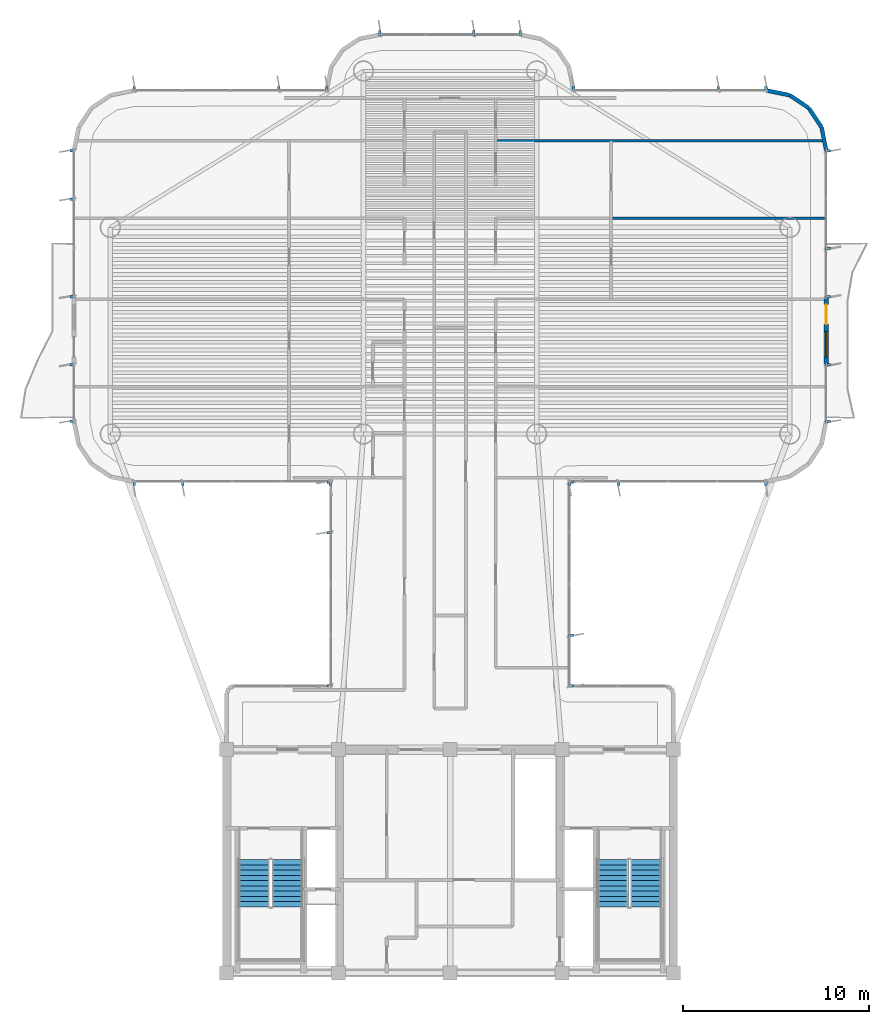
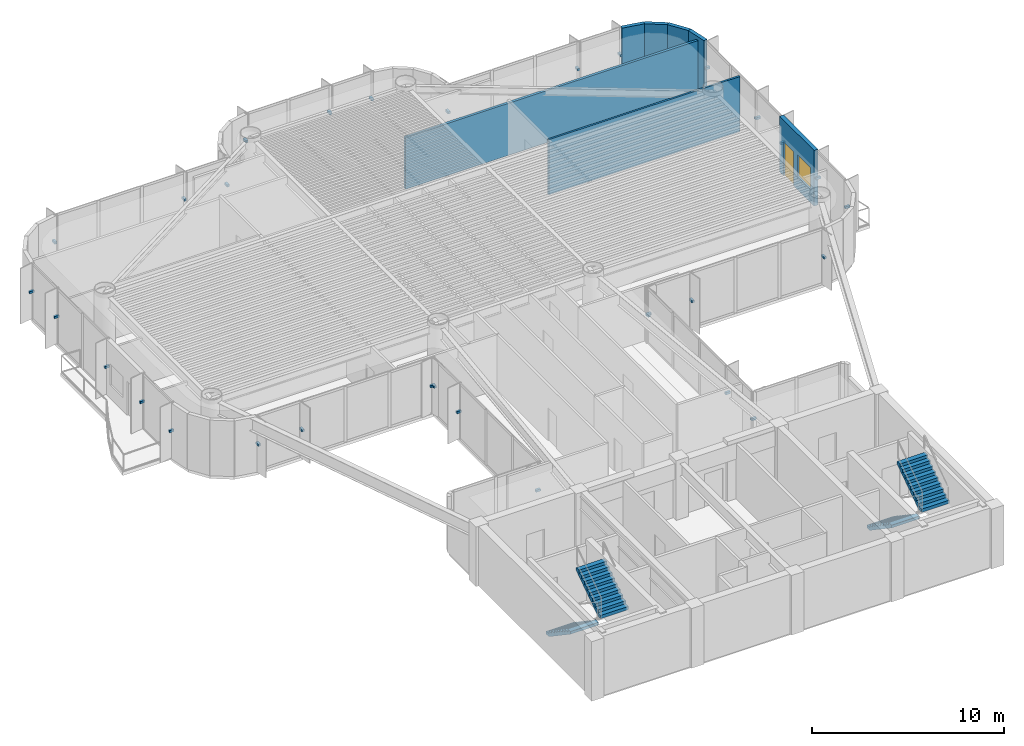
# One storey, part 12 of 14: 31 discrete accessories, 7 walls, 4 stair flights, 1 door, 1 window, 2 openings, 2 elements without a shape of their own.
"""IFC4 building model written with IfcOpenShell, lengths in metres."""

from ifc_helpers import new_model, si_unit, direction, frame, frame_2d, origin, origin_2d, place, context, subcontext, project, spatial, polyline, rectangle, outline, extrude, source, transform, mapped, material, layer, layer_set, type_object, element, fill, aggregate, save


model = new_model("IFC4")

# Units and contexts
model_context = context("Model", 3, precision=1e-05, world=origin(), true_north=direction((0.0, 1.0)))
body_context = subcontext(model_context, "Body", "Model", "MODEL_VIEW")
ifc_project = project(units=[si_unit("LENGTHUNIT", "METRE"), si_unit("AREAUNIT", "SQUARE_METRE"), si_unit("VOLUMEUNIT", "CUBIC_METRE"), si_unit("PLANEANGLEUNIT", "RADIAN"), si_unit("MASSUNIT", "GRAM", prefix="KILO")], contexts=[model_context])

# Site, building, storey
site_placement = place(None, origin())
site = spatial("IfcSite", under=ifc_project, at=site_placement, CompositionType="ELEMENT")
building_placement = place(site_placement, origin())
building = spatial("IfcBuilding", under=site, at=building_placement, Name="Brelvock Crest Care Tower", CompositionType="ELEMENT")
storey_placement = place(building_placement, frame((0.0, 0.0, 198.0)))
storey = spatial("IfcBuildingStorey", under=building, at=storey_placement, Name="L50", CompositionType="ELEMENT", Elevation=198.0)

# Wall, openings, door, window
ifc_material_1 = material(Name="Precast concrete N40 (40 MPa)", Category="concrete")
ifc_layer_1 = layer(ifc_material_1, 0.239990234375, Name="WL-EX1")
ifc_layer_set_1 = layer_set([ifc_layer_1], Name="Precast concrete N40 (40 MPa)")
wall_type_1 = type_object("IfcWallType", Name="WL-EX1", PredefinedType="SOLIDWALL", material=ifc_layer_set_1)
wall_1_placement = place(storey_placement, frame((56.199951171875, 42.300048828125, 0.0), z_axis=(0.0, 0.0, 1.0), x_axis=(0.0, -1.0, 0.0)))
wall_1 = element("IfcWall", 1, at=wall_1_placement, inside=storey, type_object=wall_type_1, Name="L50 Exterior Spandrel Wall WL-BAL-L50-E", PredefinedType="SOLIDWALL", context=body_context, shape_type="SweptSolid", body=[
    extrude(rectangle(XDim=3.60009765625, YDim=0.239990234375, at=frame_2d((1.800048828125, 0.0))), origin(), (0.0, 0.0, 1.0), 3.530029296875),
])
opening_1_placement = place(wall_1_placement, frame((0.39990234375, 0.0, 0.0)))
opening_1 = element("IfcOpeningElement", 2, at=opening_1_placement, cuts=wall_1, Name="Opening BD-1", PredefinedType="OPENING", context=body_context, shape_type="SweptSolid", body=[
    extrude(rectangle(XDim=1.050048828125, YDim=2.14990234375, at=origin_2d()), frame((0.52490234375, 0.1298828125, 1.074951171875), z_axis=(0.0, -1.0, 0.0), x_axis=(1.0, 0.0, 0.0)), (0.0, 0.0, 1.0), 0.260009765625),
])
opening_2_placement = place(wall_1_placement, frame((1.85009765625, 0.0, 0.85009765625)))
opening_2 = element("IfcOpeningElement", 3, at=opening_2_placement, cuts=wall_1, Name="Opening W-01", PredefinedType="OPENING", context=body_context, shape_type="SweptSolid", body=[
    extrude(rectangle(XDim=1.35009765625, YDim=1.35009765625, at=origin_2d()), frame((0.675048828125, 0.1298828125, 0.675048828125), z_axis=(0.0, -1.0, 0.0), x_axis=(1.0, 0.0, 0.0)), (0.0, 0.0, 1.0), 0.260009765625),
])
ifc_material_2 = material(Name="Dark Glass Double Glazed Low-E", Category="glass")
door_type = type_object("IfcDoorType", Name="DR-BAL1", OperationType="NOTDEFINED", PredefinedType="DOOR", material=ifc_material_2)
shared_shape_1 = source(origin(), body_context, "Body", "SweptSolid", [
    extrude(rectangle(XDim=1.050048828125, YDim=2.14990234375, at=origin_2d()), frame((0.52490234375, 0.02490234375, 1.074951171875), z_axis=(0.0, -1.0, 0.0), x_axis=(1.0, 0.0, 0.0)), (0.0, 0.0, 1.0), 0.050048828125),
])
door_placement = place(opening_1_placement, origin())
door = element("IfcDoor", 4, at=door_placement, inside=storey, type_object=door_type, Name="L50 E Wave Balcony Glazed Door", OperationType="SINGLE_SWING_RIGHT", OverallHeight=2.14990234375, OverallWidth=1.050048828125, PredefinedType="DOOR", context=body_context, shape_type="MappedRepresentation", body=[
    mapped(shared_shape_1, transform((0.0, 0.0, 0.0), x_axis=(1.0, 0.0, 0.0), y_axis=(0.0, 1.0, 0.0), z_axis=(0.0, 0.0, 1.0), scale=1.0)),
])
fill(opening_1, door)
window_type = type_object("IfcWindowType", Name="WN-EX1", PartitioningType="SINGLE_PANEL", PredefinedType="WINDOW", material=ifc_material_2)
shared_shape_2 = source(origin(), body_context, "Body", "SweptSolid", [
    extrude(rectangle(XDim=1.35009765625, YDim=1.35009765625, at=origin_2d()), frame((0.675048828125, 0.030029296875, 0.675048828125), z_axis=(0.0, -1.0, 0.0), x_axis=(1.0, 0.0, 0.0)), (0.0, 0.0, 1.0), 0.06005859375),
])
window_placement = place(opening_2_placement, origin())
window = element("IfcWindow", 5, at=window_placement, inside=storey, type_object=window_type, Name="L50 E Suite Casement Window", OverallHeight=1.35009765625, OverallWidth=1.35009765625, PartitioningType="SINGLE_PANEL", PredefinedType="WINDOW", context=body_context, shape_type="MappedRepresentation", body=[
    mapped(shared_shape_2, transform((0.0, 0.0, 0.0), x_axis=(1.0, 0.0, 0.0), y_axis=(0.0, 1.0, 0.0), z_axis=(0.0, 0.0, 1.0), scale=1.0)),
])
fill(opening_2, window)

# Walls
ifc_layer_2 = layer(ifc_material_1, 0.215087890625, Name="WL-EX2")
ifc_layer_set_2 = layer_set([ifc_layer_2], Name="Precast concrete N40 (40 MPa)")
wall_type_2 = type_object("IfcWallType", Name="WL-EX2", PredefinedType="SOLIDWALL", material=ifc_layer_set_2)
for number, where, z_axis, x_axis, name in (
    (6, (53.0, 53.39990234375, 0.0), (0.0, 0.0, 1.0), (0.980813122964, -0.194950295773, 0.0), "L50 Rounded Corner Wall 35"),
    (7, (54.224609375, 53.156494140625, 0.0), (0.0, 0.0, 1.0), (0.831387912822, -0.555692485475, 0.0), "L50 Rounded Corner Wall 36"),
    (8, (55.2626953125, 52.462646484375, 0.0), (0.0, 0.0, 1.0), (0.555557312883, -0.831478245117, 0.0), "L50 Rounded Corner Wall 37"),
    (9, (55.956298828125, 51.424560546875, 0.0), (0.0, 0.0, 1.0), (0.195138390419, -0.980775717779, 0.0), "L50 Rounded Corner Wall 38"),
):
    element("IfcWall", number, at=place(storey_placement, frame(where, z_axis=z_axis, x_axis=x_axis)), inside=storey, type_object=wall_type_2, Name=name, PredefinedType="SOLIDWALL", context=body_context, shape_type="SweptSolid", body=[
        extrude(rectangle(XDim=1.24853515625, YDim=0.215087890625, at=frame_2d((0.624267578125, 0.0))), origin(), (0.0, 0.0, 1.0), 3.530029296875),
    ])
ifc_material_3 = material(Name="Masonry Blockwork Acoustic Partition", Category="masonry")
ifc_layer_3 = layer(ifc_material_3, 0.14990234375, Name="WL-INT1")
ifc_layer_set_3 = layer_set([ifc_layer_3], Name="Masonry Blockwork Acoustic Partition")
wall_type_3 = type_object("IfcWallType", Name="WL-INT1", PredefinedType="PARTITIONING", material=ifc_layer_set_3)
wall_2_placement = place(storey_placement, frame((38.449951171875, 50.699951171875, 0.0), z_axis=(0.0, 0.0, 1.0), x_axis=(1.0, 0.0, 0.0)))
element("IfcWall", 10, at=wall_2_placement, inside=storey, type_object=wall_type_3, Name="L50 Interior Wall WL-BX-L50-NALE-S", PredefinedType="PARTITIONING", context=body_context, shape_type="SweptSolid", body=[
    extrude(rectangle(XDim=17.569091796875, YDim=0.14990234375, at=frame_2d((8.78466796875, 0.0))), origin(), (0.0, 0.0, 1.0), 3.30810546875),
])
ifc_material_4 = material(Name="Gypsum Plasterboard Partition", Category="gypsum")
ifc_layer_4 = layer(ifc_material_4, 0.1201171875, Name="WL-INT2")
ifc_layer_set_4 = layer_set([ifc_layer_4], Name="Gypsum Plasterboard Partition")
wall_type_4 = type_object("IfcWallType", Name="WL-INT2", PredefinedType="PARTITIONING", material=ifc_layer_set_4)
wall_3_placement = place(storey_placement, frame((44.64990234375, 46.537109375, 0.0), z_axis=(0.0, 0.0, 1.0), x_axis=(1.0, 0.0, 0.0)))
element("IfcWall", 11, at=wall_3_placement, inside=storey, type_object=wall_type_4, Name="L50 Interior Wall WL-BX-L50-ES3S-N", PredefinedType="PARTITIONING", context=body_context, shape_type="SweptSolid", body=[
    extrude(rectangle(XDim=11.47021484375, YDim=0.1201171875, at=frame_2d((5.735107421875, 0.0))), origin(), (0.0, 0.0, 1.0), 3.5),
])

# Stair, stair flights
ifc_material_5 = material(Name="Concrete N40 (40 MPa)", Category="concrete")
stair_type = type_object("IfcStairType", Name="ST-CORE1", PredefinedType="HALF_TURN_STAIR", material=ifc_material_5)
stair_1_placement = place(storey_placement, origin())
stair_1 = element("IfcStair", 12, at=stair_1_placement, inside=storey, type_object=stair_type, Name="L50 Fire-Isolated Core Stair ST-1", PredefinedType="HALF_TURN_STAIR")
stair_flight_type = type_object("IfcStairFlightType", Name="STF-1", PredefinedType="STRAIGHT", material=ifc_material_5)
stair_flight_1_placement = place(storey_placement, frame((25.469970703125, 12.080078125, 0.0), z_axis=(0.0, 0.0, 1.0), x_axis=(0.0, -1.0, 0.0)))
stair_flight_1 = element("IfcStairFlight", 13, at=stair_flight_1_placement, type_object=stair_flight_type, Name="ST-1 flight 1", NumberOfRisers=10, NumberOfTreads=9, PredefinedType="STRAIGHT", RiserHeight=0.189, TreadLength=0.28, context=body_context, shape_type="SweptSolid", body=[
    extrude(outline(polyline([(-0.00390625, -0.014892578125), (-0.00390625, -0.0078125), (-0.00390625, -0.00048828125), (-0.00390625, 0.0068359375), (-0.00390625, 0.01416015625), (-0.00390625, 0.021484375), (-0.00390625, 0.02880859375), (-0.00390625, 0.035888671875), (-0.00390625, 0.043212890625), (-0.00390625, 0.050537109375), (-0.00390625, 0.057861328125), (-0.00390625, 0.065185546875), (-0.00390625, 0.072509765625), (-0.00390625, 0.07958984375), (-0.00390625, 0.0869140625), (-0.00390625, 0.09423828125), (-0.00390625, 0.1015625), (-0.00390625, 0.10888671875), (-0.00390625, 0.1162109375), (-0.00390625, 0.12353515625), (-0.00390625, 0.130615234375), (-0.00390625, 0.137939453125), (-0.00390625, 0.145263671875), (-0.00390625, 0.152587890625), (-0.00390625, 0.159912109375), (-0.00390625, 0.167236328125), (-0.00390625, 0.17431640625), (-0.00390625, 0.181640625), (-0.00390625, 0.18896484375), (0.0, 0.18896484375), (0.280029296875, 0.18896484375), (0.280029296875, 0.3779296875), (0.56005859375, 0.3779296875), (0.56005859375, 0.56689453125), (0.840087890625, 0.56689453125), (0.840087890625, 0.756103515625), (1.1201171875, 0.756103515625), (1.1201171875, 0.945068359375), (1.39990234375, 0.945068359375), (1.39990234375, 1.134033203125), (1.679931640625, 1.134033203125), (1.679931640625, 1.322998046875), (1.9599609375, 1.322998046875), (1.9599609375, 1.511962890625), (2.239990234375, 1.511962890625), (2.239990234375, 1.700927734375), (2.52001953125, 1.700927734375), (2.52392578125, 1.700927734375), (2.523681640625, 1.70068359375), (2.52392578125, 1.700439453125), (2.523681640625, 1.699951171875), (2.52392578125, 1.69970703125), (2.523681640625, 1.699462890625), (2.52392578125, 1.698974609375), (2.523681640625, 1.69873046875), (2.52392578125, 1.698486328125), (2.523681640625, 1.697998046875), (2.52392578125, 1.69775390625), (2.523681640625, 1.697509765625), (2.52392578125, 1.697021484375), (2.523681640625, 1.69677734375), (2.52392578125, 1.696533203125), (2.523681640625, 1.6962890625), (2.52392578125, 1.69580078125), (2.523681640625, 1.695556640625), (2.52392578125, 1.6953125), (2.523681640625, 1.69482421875), (2.52392578125, 1.694580078125), (2.523681640625, 1.6943359375), (2.52392578125, 1.69384765625), (2.523681640625, 1.693603515625), (2.52392578125, 1.693359375), (2.523681640625, 1.69287109375), (2.52392578125, 1.692626953125), (2.523681640625, 1.6923828125), (2.52392578125, 1.69189453125), (2.52001953125, 1.520263671875), (0.267822265625, 0.0), (0.0, 0.0), (0.0, -0.014892578125), (-0.00390625, -0.014892578125)])), frame((0.0, 0.83984375, 0.0), z_axis=(0.0, -1.0, 0.0), x_axis=(1.0, 0.0, 0.0)), (0.0, 0.0, 1.0), 1.679931640625),
])
stair_flight_2_placement = place(storey_placement, frame((27.27001953125, 9.56005859375, 1.889892578125), z_axis=(0.0, 0.0, 1.0), x_axis=(0.0, 1.0, 0.0)))
stair_flight_2 = element("IfcStairFlight", 14, at=stair_flight_2_placement, type_object=stair_flight_type, Name="ST-1 flight 2", NumberOfRisers=10, NumberOfTreads=9, PredefinedType="STRAIGHT", RiserHeight=0.189, TreadLength=0.28, context=body_context, shape_type="SweptSolid", body=[
    extrude(outline(polyline([(-0.00390625, -0.014892578125), (-0.00390625, -0.0078125), (-0.00390625, -0.00048828125), (-0.00390625, 0.0068359375), (-0.00390625, 0.01416015625), (-0.00390625, 0.021484375), (-0.00390625, 0.02880859375), (-0.00390625, 0.035888671875), (-0.00390625, 0.043212890625), (-0.00390625, 0.050537109375), (-0.00390625, 0.057861328125), (-0.00390625, 0.065185546875), (-0.00390625, 0.072509765625), (-0.00390625, 0.07958984375), (-0.00390625, 0.0869140625), (-0.00390625, 0.09423828125), (-0.00390625, 0.1015625), (-0.00390625, 0.10888671875), (-0.00390625, 0.1162109375), (-0.00390625, 0.12353515625), (-0.00390625, 0.130615234375), (-0.00390625, 0.137939453125), (-0.00390625, 0.145263671875), (-0.00390625, 0.152587890625), (-0.00390625, 0.159912109375), (-0.00390625, 0.167236328125), (-0.00390625, 0.17431640625), (-0.00390625, 0.181640625), (-0.00390625, 0.18896484375), (0.0, 0.18896484375), (0.280029296875, 0.18896484375), (0.280029296875, 0.3779296875), (0.56005859375, 0.3779296875), (0.56005859375, 0.56689453125), (0.840087890625, 0.56689453125), (0.840087890625, 0.756103515625), (1.1201171875, 0.756103515625), (1.1201171875, 0.945068359375), (1.39990234375, 0.945068359375), (1.39990234375, 1.134033203125), (1.679931640625, 1.134033203125), (1.679931640625, 1.322998046875), (1.9599609375, 1.322998046875), (1.9599609375, 1.511962890625), (2.239990234375, 1.511962890625), (2.239990234375, 1.700927734375), (2.52001953125, 1.700927734375), (2.52392578125, 1.700927734375), (2.523681640625, 1.70068359375), (2.52392578125, 1.700439453125), (2.523681640625, 1.699951171875), (2.52392578125, 1.69970703125), (2.523681640625, 1.699462890625), (2.52392578125, 1.698974609375), (2.523681640625, 1.69873046875), (2.52392578125, 1.698486328125), (2.523681640625, 1.697998046875), (2.52392578125, 1.69775390625), (2.523681640625, 1.697509765625), (2.52392578125, 1.697021484375), (2.523681640625, 1.69677734375), (2.52392578125, 1.696533203125), (2.523681640625, 1.6962890625), (2.52392578125, 1.69580078125), (2.523681640625, 1.695556640625), (2.52392578125, 1.6953125), (2.523681640625, 1.69482421875), (2.52392578125, 1.694580078125), (2.523681640625, 1.6943359375), (2.52392578125, 1.69384765625), (2.523681640625, 1.693603515625), (2.52392578125, 1.693359375), (2.523681640625, 1.69287109375), (2.52392578125, 1.692626953125), (2.523681640625, 1.6923828125), (2.52392578125, 1.69189453125), (2.52001953125, 1.520263671875), (0.267822265625, 0.0), (0.0, 0.0), (0.0, -0.014892578125), (-0.00390625, -0.014892578125)])), frame((0.0, 0.83984375, 0.0), z_axis=(0.0, -1.0, 0.0), x_axis=(1.0, 0.0, 0.0)), (0.0, 0.0, 1.0), 1.679931640625),
])
aggregate(stair_1, [stair_flight_1, stair_flight_2])

stair_2_placement = place(storey_placement, origin())
stair_2 = element("IfcStair", 15, at=stair_2_placement, inside=storey, type_object=stair_type, Name="L50 Fire-Isolated Core Stair ST-2", PredefinedType="HALF_TURN_STAIR")
stair_flight_3_placement = place(storey_placement, frame((44.72998046875, 12.080078125, 0.0), z_axis=(0.0, 0.0, 1.0), x_axis=(0.0, -1.0, 0.0)))
stair_flight_3 = element("IfcStairFlight", 16, at=stair_flight_3_placement, type_object=stair_flight_type, Name="ST-2 flight 1", NumberOfRisers=10, NumberOfTreads=9, PredefinedType="STRAIGHT", RiserHeight=0.189, TreadLength=0.28, context=body_context, shape_type="SweptSolid", body=[
    extrude(outline(polyline([(-0.00390625, -0.014892578125), (-0.00390625, -0.0078125), (-0.00390625, -0.00048828125), (-0.00390625, 0.0068359375), (-0.00390625, 0.01416015625), (-0.00390625, 0.021484375), (-0.00390625, 0.02880859375), (-0.00390625, 0.035888671875), (-0.00390625, 0.043212890625), (-0.00390625, 0.050537109375), (-0.00390625, 0.057861328125), (-0.00390625, 0.065185546875), (-0.00390625, 0.072509765625), (-0.00390625, 0.07958984375), (-0.00390625, 0.0869140625), (-0.00390625, 0.09423828125), (-0.00390625, 0.1015625), (-0.00390625, 0.10888671875), (-0.00390625, 0.1162109375), (-0.00390625, 0.12353515625), (-0.00390625, 0.130615234375), (-0.00390625, 0.137939453125), (-0.00390625, 0.145263671875), (-0.00390625, 0.152587890625), (-0.00390625, 0.159912109375), (-0.00390625, 0.167236328125), (-0.00390625, 0.17431640625), (-0.00390625, 0.181640625), (-0.00390625, 0.18896484375), (0.0, 0.18896484375), (0.280029296875, 0.18896484375), (0.280029296875, 0.3779296875), (0.56005859375, 0.3779296875), (0.56005859375, 0.56689453125), (0.840087890625, 0.56689453125), (0.840087890625, 0.756103515625), (1.1201171875, 0.756103515625), (1.1201171875, 0.945068359375), (1.39990234375, 0.945068359375), (1.39990234375, 1.134033203125), (1.679931640625, 1.134033203125), (1.679931640625, 1.322998046875), (1.9599609375, 1.322998046875), (1.9599609375, 1.511962890625), (2.239990234375, 1.511962890625), (2.239990234375, 1.700927734375), (2.52001953125, 1.700927734375), (2.52392578125, 1.700927734375), (2.523681640625, 1.70068359375), (2.52392578125, 1.700439453125), (2.523681640625, 1.699951171875), (2.52392578125, 1.69970703125), (2.523681640625, 1.699462890625), (2.52392578125, 1.698974609375), (2.523681640625, 1.69873046875), (2.52392578125, 1.698486328125), (2.523681640625, 1.697998046875), (2.52392578125, 1.69775390625), (2.523681640625, 1.697509765625), (2.52392578125, 1.697021484375), (2.523681640625, 1.69677734375), (2.52392578125, 1.696533203125), (2.523681640625, 1.6962890625), (2.52392578125, 1.69580078125), (2.523681640625, 1.695556640625), (2.52392578125, 1.6953125), (2.523681640625, 1.69482421875), (2.52392578125, 1.694580078125), (2.523681640625, 1.6943359375), (2.52392578125, 1.69384765625), (2.523681640625, 1.693603515625), (2.52392578125, 1.693359375), (2.523681640625, 1.69287109375), (2.52392578125, 1.692626953125), (2.523681640625, 1.6923828125), (2.52392578125, 1.69189453125), (2.52001953125, 1.520263671875), (0.267822265625, 0.0), (0.0, 0.0), (0.0, -0.014892578125), (-0.00390625, -0.014892578125)])), frame((0.0, 0.83984375, 0.0), z_axis=(0.0, -1.0, 0.0), x_axis=(1.0, 0.0, 0.0)), (0.0, 0.0, 1.0), 1.679931640625),
])
stair_flight_4_placement = place(storey_placement, frame((46.530029296875, 9.56005859375, 1.889892578125), z_axis=(0.0, 0.0, 1.0), x_axis=(0.0, 1.0, 0.0)))
stair_flight_4 = element("IfcStairFlight", 17, at=stair_flight_4_placement, type_object=stair_flight_type, Name="ST-2 flight 2", NumberOfRisers=10, NumberOfTreads=9, PredefinedType="STRAIGHT", RiserHeight=0.189, TreadLength=0.28, context=body_context, shape_type="SweptSolid", body=[
    extrude(outline(polyline([(-0.00390625, -0.014892578125), (-0.00390625, -0.0078125), (-0.00390625, -0.00048828125), (-0.00390625, 0.0068359375), (-0.00390625, 0.01416015625), (-0.00390625, 0.021484375), (-0.00390625, 0.02880859375), (-0.00390625, 0.035888671875), (-0.00390625, 0.043212890625), (-0.00390625, 0.050537109375), (-0.00390625, 0.057861328125), (-0.00390625, 0.065185546875), (-0.00390625, 0.072509765625), (-0.00390625, 0.07958984375), (-0.00390625, 0.0869140625), (-0.00390625, 0.09423828125), (-0.00390625, 0.1015625), (-0.00390625, 0.10888671875), (-0.00390625, 0.1162109375), (-0.00390625, 0.12353515625), (-0.00390625, 0.130615234375), (-0.00390625, 0.137939453125), (-0.00390625, 0.145263671875), (-0.00390625, 0.152587890625), (-0.00390625, 0.159912109375), (-0.00390625, 0.167236328125), (-0.00390625, 0.17431640625), (-0.00390625, 0.181640625), (-0.00390625, 0.18896484375), (0.0, 0.18896484375), (0.280029296875, 0.18896484375), (0.280029296875, 0.3779296875), (0.56005859375, 0.3779296875), (0.56005859375, 0.56689453125), (0.840087890625, 0.56689453125), (0.840087890625, 0.756103515625), (1.1201171875, 0.756103515625), (1.1201171875, 0.945068359375), (1.39990234375, 0.945068359375), (1.39990234375, 1.134033203125), (1.679931640625, 1.134033203125), (1.679931640625, 1.322998046875), (1.9599609375, 1.322998046875), (1.9599609375, 1.511962890625), (2.239990234375, 1.511962890625), (2.239990234375, 1.700927734375), (2.52001953125, 1.700927734375), (2.52392578125, 1.700927734375), (2.523681640625, 1.70068359375), (2.52392578125, 1.700439453125), (2.523681640625, 1.699951171875), (2.52392578125, 1.69970703125), (2.523681640625, 1.699462890625), (2.52392578125, 1.698974609375), (2.523681640625, 1.69873046875), (2.52392578125, 1.698486328125), (2.523681640625, 1.697998046875), (2.52392578125, 1.69775390625), (2.523681640625, 1.697509765625), (2.52392578125, 1.697021484375), (2.523681640625, 1.69677734375), (2.52392578125, 1.696533203125), (2.523681640625, 1.6962890625), (2.52392578125, 1.69580078125), (2.523681640625, 1.695556640625), (2.52392578125, 1.6953125), (2.523681640625, 1.69482421875), (2.52392578125, 1.694580078125), (2.523681640625, 1.6943359375), (2.52392578125, 1.69384765625), (2.523681640625, 1.693603515625), (2.52392578125, 1.693359375), (2.523681640625, 1.69287109375), (2.52392578125, 1.692626953125), (2.523681640625, 1.6923828125), (2.52392578125, 1.69189453125), (2.52001953125, 1.520263671875), (0.267822265625, 0.0), (0.0, 0.0), (0.0, -0.014892578125), (-0.00390625, -0.014892578125)])), frame((0.0, 0.83984375, 0.0), z_axis=(0.0, -1.0, 0.0), x_axis=(1.0, 0.0, 0.0)), (0.0, 0.0, 1.0), 1.679931640625),
])
aggregate(stair_2, [stair_flight_3, stair_flight_4])

# Discrete accessories
ifc_material_6 = material(Name="Steel Grade 350", Category="steel")
discrete_accessory_type = type_object("IfcDiscreteAccessoryType", Name="ACC-BRK1", PredefinedType="BRACKET", material=ifc_material_6)
shared_shape_3 = source(origin(), body_context, "Body", "SweptSolid", [
    extrude(rectangle(XDim=0.280029296875, YDim=0.139892578125, at=origin_2d()), origin(), (0.0, 0.0, 1.0), 0.139892578125),
])
for number, where, z_axis, x_axis, name in (
    (18, (29.52001953125, 21.429931640625, 1.69482421875), (0.0, 0.0, 1.0), (-1.0, 0.0, 0.0), "L50 Facade Fin Bracket E11-01"),
    (19, (29.52001953125, 29.64990234375, 1.69482421875), (0.0, 0.0, 1.0), (-1.0, 0.0, 0.0), "L50 Facade Fin Bracket E11-04"),
    (20, (29.52001953125, 32.3701171875, 1.69482421875), (0.0, 0.0, 1.0), (-1.0, 0.0, 0.0), "L50 Facade Fin Bracket E11-05"),
    (21, (29.570068359375, 32.320068359375, 1.69482421875), (0.0, 0.0, 1.0), (0.0, -1.0, 0.0), "L50 Facade Fin Bracket E12-01"),
    (22, (21.64990234375, 32.320068359375, 1.69482421875), (0.0, 0.0, 1.0), (0.0, -1.0, 0.0), "L50 Facade Fin Bracket E12-04"),
    (23, (19.030029296875, 32.320068359375, 1.69482421875), (0.0, 0.0, 1.0), (0.0, -1.0, 0.0), "L50 Facade Fin Bracket E12-05"),
    (24, (15.719970703125, 35.6298828125, 1.69482421875), (0.0, 0.0, 1.0), (-1.0, 0.0, 0.0), "L50 Facade Fin Bracket E17A-01"),
    (25, (15.719970703125, 38.669921875, 1.69482421875), (0.0, 0.0, 1.0), (-1.0, 0.0, 0.0), "L50 Facade Fin Bracket E17A-02"),
    (26, (15.719970703125, 42.330078125, 1.69482421875), (0.0, 0.0, 1.0), (-1.0, 0.0, 0.0), "L50 Facade Fin Bracket E17B-01"),
    (27, (15.719970703125, 47.566650390625, 1.69482421875), (0.0, 0.0, 1.0), (-1.0, 0.0, 0.0), "L50 Facade Fin Bracket E17B-03"),
    (28, (15.719970703125, 50.169921875, 1.69482421875), (0.0, 0.0, 1.0), (-1.0, 0.0, 0.0), "L50 Facade Fin Bracket E17B-04"),
    (29, (19.030029296875, 53.47998046875, 1.69482421875), (0.0, 0.0, 1.0), (0.0, 1.0, 0.0), "L50 Facade Fin Bracket E22-01"),
    (30, (26.800048828125, 53.47998046875, 1.69482421875), (0.0, 0.0, 1.0), (0.0, 1.0, 0.0), "L50 Facade Fin Bracket E22-04"),
    (31, (29.3701171875, 53.47998046875, 1.69482421875), (0.0, 0.0, 1.0), (0.0, 1.0, 0.0), "L50 Facade Fin Bracket E22-05"),
    (32, (32.22998046875, 56.47998046875, 1.69482421875), (0.0, 0.0, 1.0), (0.0, 1.0, 0.0), "L50 Facade Fin Bracket E28-01"),
    (33, (37.2666015625, 56.47998046875, 1.69482421875), (0.0, 0.0, 1.0), (0.0, 1.0, 0.0), "L50 Facade Fin Bracket E28-03"),
    (34, (39.77001953125, 56.47998046875, 1.69482421875), (0.0, 0.0, 1.0), (0.0, 1.0, 0.0), "L50 Facade Fin Bracket E28-04"),
    (35, (42.6298828125, 53.47998046875, 1.69482421875), (0.0, 0.0, 1.0), (0.0, 1.0, 0.0), "L50 Facade Fin Bracket E34-01"),
    (36, (50.39990234375, 53.47998046875, 1.69482421875), (0.0, 0.0, 1.0), (0.0, 1.0, 0.0), "L50 Facade Fin Bracket E34-04"),
    (37, (52.969970703125, 53.47998046875, 1.69482421875), (0.0, 0.0, 1.0), (0.0, 1.0, 0.0), "L50 Facade Fin Bracket E34-05"),
    (38, (56.280029296875, 50.169921875, 1.69482421875), (0.0, 0.0, 1.0), (1.0, 0.0, 0.0), "L50 Facade Fin Bracket E39A-01"),
    (39, (56.280029296875, 44.933349609375, 1.69482421875), (0.0, 0.0, 1.0), (1.0, 0.0, 0.0), "L50 Facade Fin Bracket E39A-03"),
    (40, (56.280029296875, 42.330078125, 1.69482421875), (0.0, 0.0, 1.0), (1.0, 0.0, 0.0), "L50 Facade Fin Bracket E39A-04"),
    (41, (56.280029296875, 38.669921875, 1.69482421875), (0.0, 0.0, 1.0), (1.0, 0.0, 0.0), "L50 Facade Fin Bracket E39B-01"),
    (42, (56.280029296875, 35.6298828125, 1.69482421875), (0.0, 0.0, 1.0), (1.0, 0.0, 0.0), "L50 Facade Fin Bracket E39B-02"),
    (43, (52.969970703125, 32.320068359375, 1.69482421875), (0.0, 0.0, 1.0), (0.0, -1.0, 0.0), "L50 Facade Fin Bracket E44-01"),
    (44, (45.050048828125, 32.320068359375, 1.69482421875), (0.0, 0.0, 1.0), (0.0, -1.0, 0.0), "L50 Facade Fin Bracket E44-04"),
    (45, (42.429931640625, 32.320068359375, 1.69482421875), (0.0, 0.0, 1.0), (0.0, -1.0, 0.0), "L50 Facade Fin Bracket E44-05"),
    (46, (42.47998046875, 32.3701171875, 1.69482421875), (0.0, 0.0, 1.0), (1.0, 0.0, 0.0), "L50 Facade Fin Bracket E45-01"),
    (47, (42.47998046875, 24.14990234375, 1.69482421875), (0.0, 0.0, 1.0), (1.0, 0.0, 0.0), "L50 Facade Fin Bracket E45-04"),
    (48, (42.47998046875, 21.429931640625, 1.69482421875), (0.0, 0.0, 1.0), (1.0, 0.0, 0.0), "L50 Facade Fin Bracket E45-05"),
):
    element("IfcDiscreteAccessory", number, at=place(storey_placement, frame(where, z_axis=z_axis, x_axis=x_axis)), inside=storey, type_object=discrete_accessory_type, Name=name, PredefinedType="BRACKET", context=body_context, shape_type="MappedRepresentation", body=[
        mapped(shared_shape_3, transform((0.0, 0.0, 0.0), x_axis=(1.0, 0.0, 0.0), y_axis=(0.0, 1.0, 0.0), z_axis=(0.0, 0.0, 1.0), scale=1.0)),
    ])

save(model, "model.ifc")
